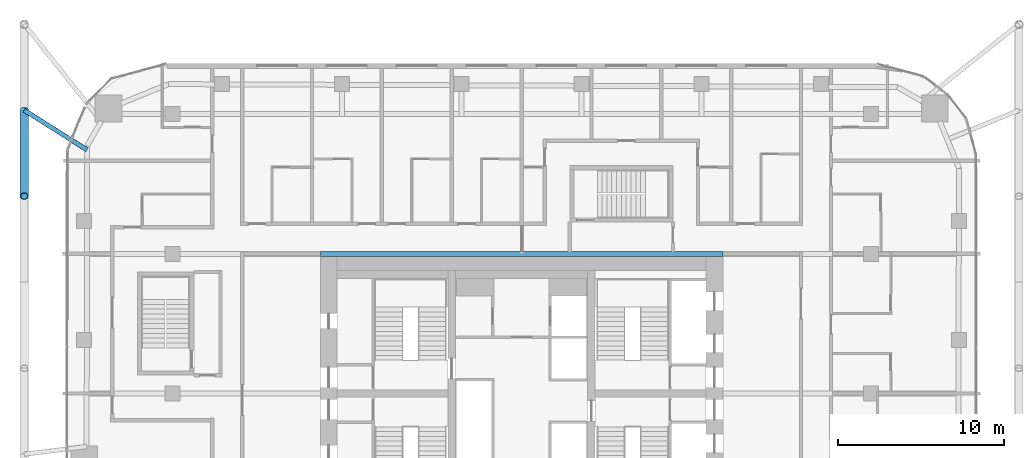
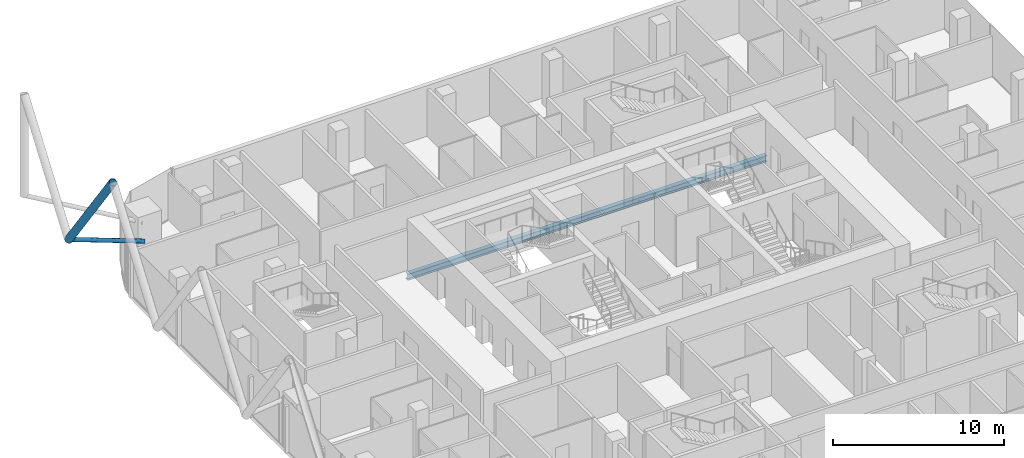
# One storey, part 10 of 36: 2 members, 1 beam.
"""IFC4 building model written with IfcOpenShell, lengths in metres."""

from ifc_helpers import new_model, si_unit, direction, frame, origin, origin_2d, place, context, subcontext, project, spatial, hollow_circle, i_section, extrude, material, material_profile, profile_set, type_object, element, save


model = new_model("IFC4")

# Units and contexts
model_context = context("Model", 3, precision=1e-05, world=origin(), true_north=direction((0.0, 1.0)))
body_context = subcontext(model_context, "Body", "Model", "MODEL_VIEW")
ifc_project = project(units=[si_unit("LENGTHUNIT", "METRE"), si_unit("AREAUNIT", "SQUARE_METRE"), si_unit("VOLUMEUNIT", "CUBIC_METRE"), si_unit("PLANEANGLEUNIT", "RADIAN"), si_unit("MASSUNIT", "GRAM", prefix="KILO")], contexts=[model_context])

# Site, building, storey
site_placement = place(None, origin())
site = spatial("IfcSite", under=ifc_project, at=site_placement, CompositionType="ELEMENT")
building_placement = place(site_placement, origin())
building = spatial("IfcBuilding", under=site, at=building_placement, Name="Marenta Gate Hotel Tower", CompositionType="ELEMENT")
storey_placement = place(building_placement, frame((0.0, 0.0, 115.699951171875)))
storey = spatial("IfcBuildingStorey", under=building, at=storey_placement, Name="L25", CompositionType="ELEMENT", Elevation=115.699951171875)

# Members
ifc_material_1 = material(Name="Steel S355J2W", Category="steel")
ifc_material_profile_1 = material_profile(ifc_material_1, hollow_circle(Radius=0.25390625, WallThickness=0.0400390625, at=origin_2d()), Name="CHS 508x40")
ifc_profile_set_1 = profile_set([ifc_material_profile_1], Name="Steel S355J2W")
member_type_1 = type_object("IfcMemberType", Name="Diagrid diagonal Z2 CHS 508x40", PredefinedType="BRACE", material=ifc_profile_set_1)
member_1_placement = place(storey_placement, frame((-29.89990234375, 25.429931640625, 3.14013671875), z_axis=(0.0, -0.583260841117, 0.812284919975), x_axis=(1.0, 0.0, 0.0)))
element("IfcMember", 1, at=member_1_placement, inside=storey, type_object=member_type_1, Name="L25-DG-33", PredefinedType="BRACE", context=body_context, shape_type="SweptSolid", body=[
    extrude(hollow_circle(Radius=0.25390625, WallThickness=0.0400390625, at=origin_2d()), origin(), (0.0, 0.0, 1.0), 8.86376953125),
])
ifc_material_2 = material(Name="Steel S355J2W", Category="steel")
ifc_material_profile_2 = material_profile(ifc_material_2, hollow_circle(Radius=0.136474609375, WallThickness=0.012451171875, at=origin_2d()), Name="CHS 273x12.5")
ifc_profile_set_2 = profile_set([ifc_material_profile_2], Name="Steel S355J2W")
member_type_2 = type_object("IfcMemberType", Name="Floor tie CHS 273x12.5", PredefinedType="STRUT", material=ifc_profile_set_2)
member_2_placement = place(storey_placement, frame((-29.89990234375, 25.429931640625, 3.14013671875), z_axis=(0.845306816759, -0.534281185839, 0.0), x_axis=(0.534281185839, 0.845306816759, 0.0)))
element("IfcMember", 2, at=member_2_placement, inside=storey, type_object=member_type_2, Name="L25-DR-21", PredefinedType="STRUT", context=body_context, shape_type="SweptSolid", body=[
    extrude(hollow_circle(Radius=0.136474609375, WallThickness=0.012451171875, at=origin_2d()), origin(), (0.0, 0.0, 1.0), 4.461669921875),
])

# Beam
ifc_material_3 = material(Name="Steel S355", Category="steel")
ifc_material_profile_3 = material_profile(ifc_material_3, i_section(OverallWidth=0.300048828125, OverallDepth=0.449951171875, WebThickness=0.013916015625, FlangeThickness=0.02587890625, FilletRadius=0.027099609375, at=origin_2d()), Name="HEB 450")
ifc_profile_set_3 = profile_set([ifc_material_profile_3], Name="Steel S355")
beam_type = type_object("IfcBeamType", Name="Girder HEB 450", PredefinedType="BEAM", material=ifc_profile_set_3)
beam_placement = place(storey_placement, frame((-12.10009765625, 16.800048828125, -0.48486328125), z_axis=(1.0, 0.0, 0.0), x_axis=(0.0, 1.0, 0.0)))
element("IfcBeam", 3, at=beam_placement, inside=storey, type_object=beam_type, Name="L25-GD-26", PredefinedType="BEAM", context=body_context, shape_type="SweptSolid", body=[
    extrude(i_section(OverallWidth=0.300048828125, OverallDepth=0.449951171875, WebThickness=0.013916015625, FlangeThickness=0.02587890625, FilletRadius=0.027099609375, at=origin_2d()), origin(), (0.0, 0.0, 1.0), 24.2001953125),
])

save(model, "model.ifc")
